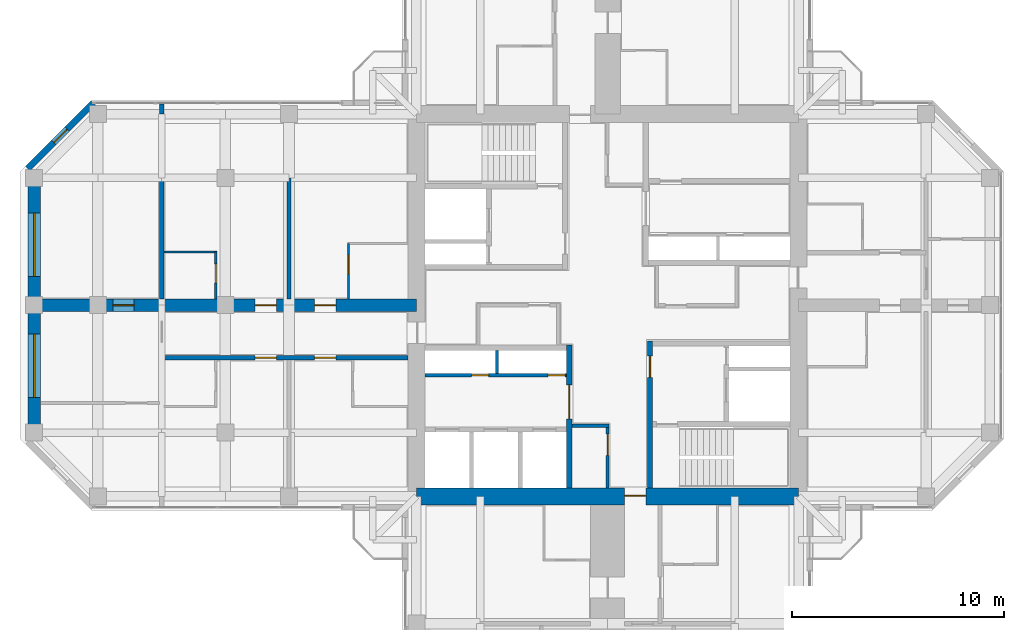
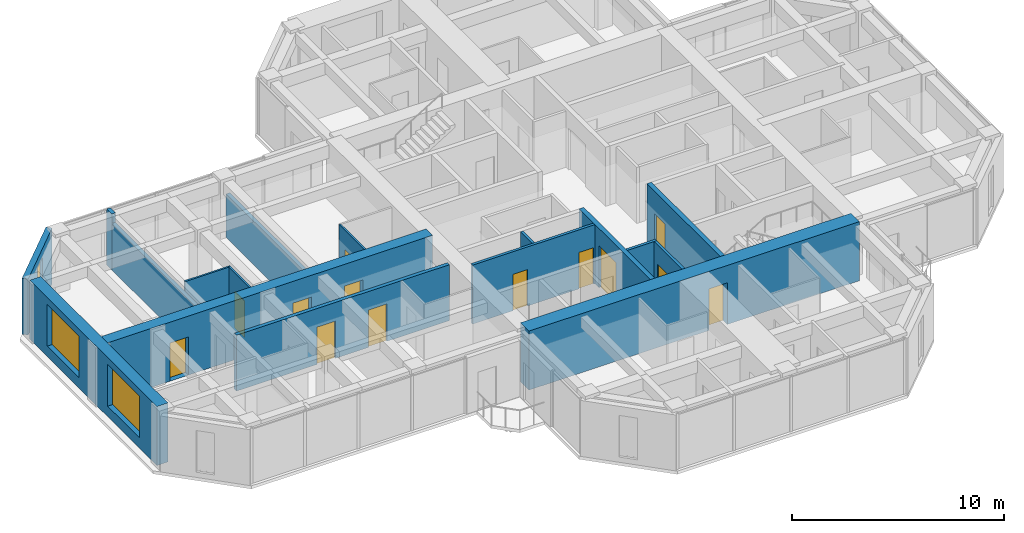
# One storey, part 9 of 14: 17 walls, 13 doors, 3 windows, 16 openings.
"""IFC4 building model written with IfcOpenShell, lengths in metres."""

from ifc_helpers import new_model, si_unit, direction, frame, frame_2d, origin, place, context, subcontext, project, spatial, rectangle, hollow_rectangle, extrude, material, layer, layer_set, constituent, constituent_set, type_object, element, fill, save


model = new_model("IFC4")

# Units and contexts
model_context = context("Model", 3, precision=1e-05, world=origin(), true_north=direction((0.0, 1.0)))
body_context = subcontext(model_context, "Body", "Model", "MODEL_VIEW")
ifc_project = project(units=[si_unit("LENGTHUNIT", "METRE"), si_unit("AREAUNIT", "SQUARE_METRE"), si_unit("VOLUMEUNIT", "CUBIC_METRE"), si_unit("PLANEANGLEUNIT", "RADIAN"), si_unit("MASSUNIT", "GRAM", prefix="KILO")], contexts=[model_context])

# Site, building, storey
site_placement = place(None, origin())
site = spatial("IfcSite", under=ifc_project, at=site_placement, CompositionType="ELEMENT")
building_placement = place(site_placement, origin())
building = spatial("IfcBuilding", under=site, at=building_placement, Name="Torre Cruceta", CompositionType="ELEMENT")
storey_placement = place(building_placement, frame((0.0, 0.0, 228.89990234375)))
storey = spatial("IfcBuildingStorey", under=building, at=storey_placement, Name="L58", CompositionType="ELEMENT", Elevation=228.89990234375)

# Wall, opening, door
ifc_material_1 = material(Name="Water-resistant plasterboard on steel studs", Category="steel")
ifc_layer_1 = layer(ifc_material_1, 0.10009765625)
ifc_layer_set_1 = layer_set([ifc_layer_1], Name="Water-resistant plasterboard on steel studs")
wall_type_1 = type_object("IfcWallType", Name="BATHROOM WALL 100", PredefinedType="PARTITIONING", material=ifc_layer_set_1)
wall_1_placement = place(storey_placement, frame((-12.199951171875, 2.89990234375, 0.0), z_axis=(0.0, 0.0, 1.0), x_axis=(0.0, -1.0, 0.0)))
wall_1 = element("IfcWall", 1, at=wall_1_placement, inside=storey, type_object=wall_type_1, Name="PT4 L58-W-U1RBS", PredefinedType="PARTITIONING", context=body_context, shape_type="SweptSolid", body=[
    extrude(rectangle(XDim=2.599853515625, YDim=0.10009765625, at=frame_2d((1.2998046875, 0.0))), origin(), (0.0, 0.0, 1.0), 3.22021484375),
])
opening_1_placement = place(wall_1_placement, frame((0.550048828125, 0.0, 0.0)))
opening_1 = element("IfcOpeningElement", 2, at=opening_1_placement, cuts=wall_1, Name="Opening D7", PredefinedType="OPENING", context=body_context, shape_type="SweptSolid", body=[
    extrude(rectangle(XDim=0.89990234375, YDim=2.10009765625, at=frame_2d((0.449951171875, 1.050048828125))), frame((0.0, 0.06005859375, 0.0), z_axis=(0.0, -1.0, 0.0), x_axis=(1.0, 0.0, 0.0)), (0.0, 0.0, 1.0), 0.1201171875),
])
ifc_material_2 = material(Name="Timber door", Category="wood")
door_type_1 = type_object("IfcDoorType", Name="BATHROOM DOOR 900X2100", OperationType="SINGLE_SWING_LEFT", PredefinedType="DOOR", material=ifc_material_2)
door_1_placement = place(opening_1_placement, origin())
door_1 = element("IfcDoor", 3, at=door_1_placement, inside=storey, type_object=door_type_1, Name="D7 L58-W-U1RBS-D1", OperationType="SINGLE_SWING_LEFT", OverallHeight=2.10009765625, OverallWidth=0.89990234375, PredefinedType="DOOR", context=body_context, shape_type="SweptSolid", body=[
    extrude(rectangle(XDim=0.89990234375, YDim=2.10009765625, at=frame_2d((0.449951171875, 1.050048828125))), frame((0.0, 0.02490234375, 0.0), z_axis=(0.0, -1.0, 0.0), x_axis=(1.0, 0.0, 0.0)), (0.0, 0.0, 1.0), 0.050048828125),
])
fill(opening_1, door_1)

# Wall
wall_2_placement = place(storey_placement, frame((-18.39990234375, 2.5, 0.0), z_axis=(0.0, 0.0, 1.0), x_axis=(-1.0, 0.0, 0.0)))
element("IfcWall", 4, at=wall_2_placement, inside=storey, type_object=wall_type_1, Name="PT4 L58-W-U2RBB", PredefinedType="PARTITIONING", context=body_context, shape_type="SweptSolid", body=[
    extrude(rectangle(XDim=2.5, YDim=0.10009765625, at=frame_2d((1.25, 0.0))), origin(), (0.0, 0.0, 1.0), 3.22021484375),
])

# Wall, opening, door
wall_3_placement = place(storey_placement, frame((-18.449951171875, 2.5, 0.0), z_axis=(0.0, 0.0, 1.0), x_axis=(0.0, -1.0, 0.0)))
wall_3 = element("IfcWall", 5, at=wall_3_placement, inside=storey, type_object=wall_type_1, Name="PT4 L58-W-U2RBS", PredefinedType="PARTITIONING", context=body_context, shape_type="SweptSolid", body=[
    extrude(rectangle(XDim=2.199951171875, YDim=0.10009765625, at=frame_2d((1.10009765625, 0.0))), origin(), (0.0, 0.0, 1.0), 3.22021484375),
])
opening_2_placement = place(wall_3_placement, frame((0.550048828125, 0.0, 0.0)))
opening_2 = element("IfcOpeningElement", 6, at=opening_2_placement, cuts=wall_3, Name="Opening D7", PredefinedType="OPENING", context=body_context, shape_type="SweptSolid", body=[
    extrude(rectangle(XDim=0.89990234375, YDim=2.10009765625, at=frame_2d((0.449951171875, 1.050048828125))), frame((0.0, 0.06005859375, 0.0), z_axis=(0.0, -1.0, 0.0), x_axis=(1.0, 0.0, 0.0)), (0.0, 0.0, 1.0), 0.1201171875),
])
door_2_placement = place(opening_2_placement, frame((0.89990234375, 0.0, 0.0), z_axis=(0.0, 0.0, 1.0), x_axis=(-1.0, 0.0, 0.0)))
door_2 = element("IfcDoor", 7, at=door_2_placement, inside=storey, type_object=door_type_1, Name="D7 L58-W-U2RBS-D1", OperationType="SINGLE_SWING_RIGHT", OverallHeight=2.10009765625, OverallWidth=0.89990234375, PredefinedType="DOOR", context=body_context, shape_type="SweptSolid", body=[
    extrude(rectangle(XDim=0.89990234375, YDim=2.10009765625, at=frame_2d((0.449951171875, 1.050048828125))), frame((0.0, 0.025146484375, 0.0), z_axis=(0.0, -1.0, 0.0), x_axis=(1.0, 0.0, 0.0)), (0.0, 0.0, 1.0), 0.050048828125),
])
fill(opening_2, door_2)

ifc_material_3 = material(Name="Concrete G60 (fck 60 MPa)", Category="concrete")
ifc_layer_2 = layer(ifc_material_3, 0.25)
ifc_layer_set_2 = layer_set([ifc_layer_2], Name="Concrete G60 (fck 60 MPa)")
wall_type_2 = type_object("IfcWallType", Name="CORE INNER WALL 250 G60", PredefinedType="SHEAR", material=ifc_layer_set_2)
wall_4_placement = place(storey_placement, frame((-1.800048828125, -1.875, 0.0), z_axis=(0.0, 0.0, 1.0), x_axis=(0.0, -1.0, 0.0)))
wall_4 = element("IfcWall", 8, at=wall_4_placement, inside=storey, type_object=wall_type_2, Name="CW4 L58 SW-CU", PredefinedType="SHEAR", context=body_context, shape_type="SweptSolid", body=[
    extrude(rectangle(XDim=6.72509765625, YDim=0.25, at=frame_2d((3.362548828125, 0.0))), origin(), (0.0, 0.0, 1.0), 3.400146484375),
])
opening_3_placement = place(wall_4_placement, frame((1.875, 0.0, 0.0)))
opening_3 = element("IfcOpeningElement", 9, at=opening_3_placement, cuts=wall_4, Name="Opening D8", PredefinedType="OPENING", context=body_context, shape_type="SweptSolid", body=[
    extrude(rectangle(XDim=1.60009765625, YDim=2.39990234375, at=frame_2d((0.800048828125, 1.199951171875))), frame((0.0, 0.135009765625, 0.0), z_axis=(0.0, -1.0, 0.0), x_axis=(1.0, 0.0, 0.0)), (0.0, 0.0, 1.0), 0.27001953125),
])
ifc_material_4 = material(Name="Steel DX51D", Category="steel")
ifc_constituent_1 = constituent(ifc_material_4, Name="Leaf and frame")
ifc_material_5 = material(Name="Polyester powder coating", Category="paint")
ifc_constituent_2 = constituent(ifc_material_5, Name="Finish")
ifc_material_6 = material(Name="Fire-resisting glass", Category="glass")
ifc_constituent_3 = constituent(ifc_material_6, Name="Vision panel")
ifc_constituent_set_1 = constituent_set(constituents=[ifc_constituent_1, ifc_constituent_2, ifc_constituent_3], Name="Steel fire door with vision panels")
door_type_2 = type_object("IfcDoorType", Name="LIFT LOBBY DOUBLE DOOR 1600X2400", OperationType="DOUBLE_DOOR_DOUBLE_SWING", PredefinedType="DOOR", material=ifc_constituent_set_1)
door_3_placement = place(opening_3_placement, origin())
door_3 = element("IfcDoor", 10, at=door_3_placement, inside=storey, type_object=door_type_2, Name="D8 L58 SW-LOBBY", OperationType="DOUBLE_DOOR_DOUBLE_SWING", OverallHeight=2.39990234375, OverallWidth=1.60009765625, PredefinedType="DOOR", context=body_context, shape_type="SweptSolid", body=[
    extrude(rectangle(XDim=1.60009765625, YDim=2.39990234375, at=frame_2d((0.800048828125, 1.199951171875))), frame((0.0, 0.02490234375, 0.0), z_axis=(0.0, -1.0, 0.0), x_axis=(1.0, 0.0, 0.0)), (0.0, 0.0, 1.0), 0.050048828125),
])
fill(opening_3, door_3)

wall_5_placement = place(storey_placement, frame((2.0, -1.675048828125, 0.0), z_axis=(0.0, 0.0, 1.0), x_axis=(0.0, -1.0, 0.0)))
wall_5 = element("IfcWall", 11, at=wall_5_placement, inside=storey, type_object=wall_type_2, Name="CW4 L58 SE-CU", PredefinedType="SHEAR", context=body_context, shape_type="SweptSolid", body=[
    extrude(rectangle(XDim=6.925048828125, YDim=0.25, at=frame_2d((3.46240234375, 0.0))), origin(), (0.0, 0.0, 1.0), 3.400146484375),
])
opening_4_placement = place(wall_5_placement, frame((0.72509765625, 0.0, 0.0)))
opening_4 = element("IfcOpeningElement", 12, at=opening_4_placement, cuts=wall_5, Name="Opening D3", PredefinedType="OPENING", context=body_context, shape_type="SweptSolid", body=[
    extrude(rectangle(XDim=1.0, YDim=2.10009765625, at=frame_2d((0.5, 1.050048828125))), frame((0.0, 0.135009765625, 0.0), z_axis=(0.0, -1.0, 0.0), x_axis=(1.0, 0.0, 0.0)), (0.0, 0.0, 1.0), 0.27001953125),
])
ifc_material_7 = material(Name="Steel DX51D", Category="steel")
ifc_constituent_4 = constituent(ifc_material_7, Name="Leaf and frame")
ifc_material_8 = material(Name="Polyester powder coating", Category="paint")
ifc_constituent_5 = constituent(ifc_material_8, Name="Finish")
ifc_constituent_set_2 = constituent_set(constituents=[ifc_constituent_4, ifc_constituent_5], Name="Steel fire door")
door_type_3 = type_object("IfcDoorType", Name="FIRE DOOR 1000X2100", OperationType="SINGLE_SWING_LEFT", PredefinedType="DOOR", material=ifc_constituent_set_2)
door_4_placement = place(opening_4_placement, origin())
door_4 = element("IfcDoor", 13, at=door_4_placement, inside=storey, type_object=door_type_3, Name="D3 L58 SE-LOBBY", OperationType="SINGLE_SWING_LEFT", OverallHeight=2.10009765625, OverallWidth=1.0, PredefinedType="DOOR", context=body_context, shape_type="SweptSolid", body=[
    extrude(rectangle(XDim=1.0, YDim=2.10009765625, at=frame_2d((0.5, 1.050048828125))), frame((0.0, 0.02490234375, 0.0), z_axis=(0.0, -1.0, 0.0), x_axis=(1.0, 0.0, 0.0)), (0.0, 0.0, 1.0), 0.050048828125),
])
fill(opening_4, door_4)

ifc_material_9 = material(Name="Concrete G60 (fck 60 MPa)", Category="concrete")
ifc_layer_3 = layer(ifc_material_9, 0.800048828125)
ifc_layer_set_3 = layer_set([ifc_layer_3], Name="Concrete G60 (fck 60 MPa)")
wall_type_3 = type_object("IfcWallType", Name="CORE WALL 800 G60", PredefinedType="SHEAR", material=ifc_layer_set_3)
wall_6_placement = place(storey_placement, frame((-9.0, -9.0, 0.0), z_axis=(0.0, 0.0, 1.0), x_axis=(1.0, 0.0, 0.0)))
wall_6 = element("IfcWall", 14, at=wall_6_placement, inside=storey, type_object=wall_type_3, Name="CW3 L58 CW-S", PredefinedType="SHEAR", context=body_context, shape_type="SweptSolid", body=[
    extrude(rectangle(XDim=18.0, YDim=0.800048828125, at=frame_2d((9.0, 0.0))), origin(), (0.0, 0.0, 1.0), 3.400146484375),
])
opening_5_placement = place(wall_6_placement, frame((9.800048828125, 0.0, 0.0)))
opening_5 = element("IfcOpeningElement", 15, at=opening_5_placement, cuts=wall_6, Name="Opening D4", PredefinedType="OPENING", context=body_context, shape_type="SweptSolid", body=[
    extrude(rectangle(XDim=1.0, YDim=2.39990234375, at=frame_2d((0.5, 1.199951171875))), frame((0.0, 0.409912109375, 0.0), z_axis=(0.0, -1.0, 0.0), x_axis=(1.0, 0.0, 0.0)), (0.0, 0.0, 1.0), 0.820068359375),
])
ifc_material_10 = material(Name="Steel DX51D", Category="steel")
ifc_constituent_6 = constituent(ifc_material_10, Name="Leaf and frame")
ifc_material_11 = material(Name="Polyester powder coating", Category="paint")
ifc_constituent_7 = constituent(ifc_material_11, Name="Finish")
ifc_constituent_set_3 = constituent_set(constituents=[ifc_constituent_6, ifc_constituent_7], Name="Steel fire door")
door_type_4 = type_object("IfcDoorType", Name="CORE ARM DOOR 1000X2400", OperationType="SINGLE_SWING_RIGHT", PredefinedType="DOOR", material=ifc_constituent_set_3)
door_5_placement = place(opening_5_placement, origin())
door_5 = element("IfcDoor", 16, at=door_5_placement, inside=storey, type_object=door_type_4, Name="D4 L58 CW-S", OperationType="SINGLE_SWING_RIGHT", OverallHeight=2.39990234375, OverallWidth=1.0, PredefinedType="DOOR", context=body_context, shape_type="SweptSolid", body=[
    extrude(rectangle(XDim=1.0, YDim=2.39990234375, at=frame_2d((0.5, 1.199951171875))), frame((0.0, 0.05517578125, 0.0), z_axis=(0.0, -1.0, 0.0), x_axis=(1.0, 0.0, 0.0)), (0.0, 0.0, 1.0), 0.050048828125),
])
fill(opening_5, door_5)

# Wall, openings, doors
ifc_material_12 = material(Name="Concrete G25 (fck 25 MPa)", Category="concrete")
ifc_layer_4 = layer(ifc_material_12, 0.199951171875)
ifc_layer_set_4 = layer_set([ifc_layer_4], Name="Concrete G25 (fck 25 MPa)")
wall_type_4 = type_object("IfcWallType", Name="CORRIDOR WALL 200", PredefinedType="SOLIDWALL", material=ifc_layer_set_4)
wall_7_placement = place(storey_placement, frame((-9.39990234375, -2.47509765625, 0.0), z_axis=(0.0, 0.0, 1.0), x_axis=(-1.0, 0.0, 0.0)))
wall_7 = element("IfcWall", 17, at=wall_7_placement, inside=storey, type_object=wall_type_4, Name="PT3 L58-W-CL", PredefinedType="SOLIDWALL", context=body_context, shape_type="SweptSolid", body=[
    extrude(rectangle(XDim=11.60009765625, YDim=0.199951171875, at=frame_2d((5.800048828125, 0.0))), origin(), (0.0, 0.0, 1.0), 3.22021484375),
])
opening_6_placement = place(wall_7_placement, frame((3.39990234375, 0.0, 0.0)))
opening_6 = element("IfcOpeningElement", 18, at=opening_6_placement, cuts=wall_7, Name="Opening D6", PredefinedType="OPENING", context=body_context, shape_type="SweptSolid", body=[
    extrude(rectangle(XDim=1.0, YDim=2.14990234375, at=frame_2d((0.5, 1.074951171875))), frame((0.0, 0.10986328125, 0.0), z_axis=(0.0, -1.0, 0.0), x_axis=(1.0, 0.0, 0.0)), (0.0, 0.0, 1.0), 0.219970703125),
])
opening_7_placement = place(wall_7_placement, frame((6.199951171875, 0.0, 0.0)))
opening_7 = element("IfcOpeningElement", 19, at=opening_7_placement, cuts=wall_7, Name="Opening D6", PredefinedType="OPENING", context=body_context, shape_type="SweptSolid", body=[
    extrude(rectangle(XDim=1.0, YDim=2.14990234375, at=frame_2d((0.5, 1.074951171875))), frame((0.0, 0.10986328125, 0.0), z_axis=(0.0, -1.0, 0.0), x_axis=(1.0, 0.0, 0.0)), (0.0, 0.0, 1.0), 0.219970703125),
])
ifc_material_13 = material(Name="Timber fire door", Category="wood")
door_type_5 = type_object("IfcDoorType", Name="UNIT ENTRANCE DOOR 1000X2150", OperationType="SINGLE_SWING_LEFT", PredefinedType="DOOR", material=ifc_material_13)
door_6_placement = place(opening_6_placement, origin())
door_6 = element("IfcDoor", 20, at=door_6_placement, inside=storey, type_object=door_type_5, Name="D6 L58-W-CL-D1", OperationType="SINGLE_SWING_LEFT", OverallHeight=2.14990234375, OverallWidth=1.0, PredefinedType="DOOR", context=body_context, shape_type="SweptSolid", body=[
    extrude(rectangle(XDim=1.0, YDim=2.14990234375, at=frame_2d((0.5, 1.074951171875))), frame((0.0, 0.02490234375, 0.0), z_axis=(0.0, -1.0, 0.0), x_axis=(1.0, 0.0, 0.0)), (0.0, 0.0, 1.0), 0.050048828125),
])
fill(opening_6, door_6)
door_7_placement = place(opening_7_placement, origin())
door_7 = element("IfcDoor", 21, at=door_7_placement, inside=storey, type_object=door_type_5, Name="D6 L58-W-CL-D2", OperationType="SINGLE_SWING_LEFT", OverallHeight=2.14990234375, OverallWidth=1.0, PredefinedType="DOOR", context=body_context, shape_type="SweptSolid", body=[
    extrude(rectangle(XDim=1.0, YDim=2.14990234375, at=frame_2d((0.5, 1.074951171875))), frame((0.0, 0.02490234375, 0.0), z_axis=(0.0, -1.0, 0.0), x_axis=(1.0, 0.0, 0.0)), (0.0, 0.0, 1.0), 0.050048828125),
])
fill(opening_7, door_7)

# Wall, opening, window
ifc_material_14 = material(Name="Concrete G30 (fck 30 MPa)", Category="concrete")
ifc_layer_5 = layer(ifc_material_14, 0.300048828125)
ifc_layer_set_5 = layer_set([ifc_layer_5], Name="Concrete G30 (fck 30 MPa)")
wall_type_5 = type_object("IfcWallType", Name="EXPOSED CONCRETE FACADE WALL 300", PredefinedType="SOLIDWALL", material=ifc_layer_set_5)
wall_8_placement = place(storey_placement, frame((-24.21533203125, 9.52001953125, 0.0), z_axis=(0.0, 0.0, 1.0), x_axis=(-0.707106781187, -0.707106781187, 0.0)))
wall_8 = element("IfcWall", 22, at=wall_8_placement, inside=storey, type_object=wall_type_5, Name="EW1 facade wall L58 W chamfer 11", PredefinedType="SOLIDWALL", context=body_context, shape_type="SweptSolid", body=[
    extrude(rectangle(XDim=4.362548828125, YDim=0.300048828125, at=frame_2d((2.18115234375, 0.0))), origin(), (0.0, 0.0, 1.0), 3.22021484375),
])
opening_8_placement = place(wall_8_placement, frame((1.731201171875, 0.0, 0.300048828125)))
opening_8 = element("IfcOpeningElement", 23, at=opening_8_placement, cuts=wall_8, Name="Opening WN5", PredefinedType="OPENING", context=body_context, shape_type="SweptSolid", body=[
    extrude(rectangle(XDim=0.89990234375, YDim=2.39990234375, at=frame_2d((0.449951171875, 1.199951171875))), frame((0.0, 0.159912109375, 0.0), z_axis=(0.0, -1.0, 0.0), x_axis=(1.0, 0.0, 0.0)), (0.0, 0.0, 1.0), 0.320068359375),
])
ifc_material_15 = material(Name="Aluminium window frame", Category="aluminium")
ifc_constituent_8 = constituent(ifc_material_15, Name="Frame")
ifc_material_16 = material(Name="Laminated insulating glass unit, low-iron clear", Category="glass")
ifc_constituent_9 = constituent(ifc_material_16, Name="Glazing")
ifc_constituent_set_4 = constituent_set(constituents=[ifc_constituent_8, ifc_constituent_9], Name="Aluminium window")
window_type_1 = type_object("IfcWindowType", Name="CHAMFER SLOT WINDOW 900X2400", PartitioningType="SINGLE_PANEL", PredefinedType="WINDOW", material=ifc_constituent_set_4)
window_1_placement = place(opening_8_placement, origin())
window_1 = element("IfcWindow", 24, at=window_1_placement, inside=storey, type_object=window_type_1, Name="WN5 L58 W 1", OverallHeight=2.39990234375, OverallWidth=0.89990234375, PartitioningType="SINGLE_PANEL", PredefinedType="WINDOW", context=body_context, shape_type="SweptSolid", body=[
    extrude(hollow_rectangle(XDim=0.89990234375, YDim=2.39990234375, WallThickness=0.06005859375, at=frame_2d((0.449951171875, 1.199951171875))), frame((0.0, 0.030029296875, 0.0), z_axis=(0.0, -1.0, 0.0), x_axis=(1.0, 0.0, 0.0)), (0.0, 0.0, 1.0), 0.06005859375),
    extrude(rectangle(XDim=0.77880859375, YDim=2.27880859375, at=frame_2d((0.449951171875, 1.199951171875))), frame((0.0, 0.030029296875, 0.0), z_axis=(0.0, -1.0, 0.0), x_axis=(1.0, 0.0, 0.0)), (0.0, 0.0, 1.0), 0.06005859375),
])
fill(opening_8, window_1)

# Wall, openings, windows
ifc_material_17 = material(Name="Concrete G60 (fck 60 MPa)", Category="concrete")
ifc_layer_6 = layer(ifc_material_17, 0.60009765625)
ifc_layer_set_6 = layer_set([ifc_layer_6], Name="Concrete G60 (fck 60 MPa)")
wall_type_6 = type_object("IfcWallType", Name="NOSE WALL 600 G60", PredefinedType="SHEAR", material=ifc_layer_set_6)
wall_9_placement = place(storey_placement, frame((-27.0, 6.0, 0.0), z_axis=(0.0, 0.0, 1.0), x_axis=(0.0, -1.0, 0.0)))
wall_9 = element("IfcWall", 25, at=wall_9_placement, inside=storey, type_object=wall_type_6, Name="NW3 nose wall L58 W", PredefinedType="SHEAR", context=body_context, shape_type="SweptSolid", body=[
    extrude(rectangle(XDim=12.0, YDim=0.60009765625, at=frame_2d((6.0, 0.0))), origin(), (0.0, 0.0, 1.0), 3.400146484375),
])
opening_9_placement = place(wall_9_placement, frame((1.64990234375, 0.0, 0.60009765625)))
opening_9 = element("IfcOpeningElement", 26, at=opening_9_placement, cuts=wall_9, Name="Opening WN6", PredefinedType="OPENING", context=body_context, shape_type="SweptSolid", body=[
    extrude(rectangle(XDim=3.0, YDim=2.39990234375, at=frame_2d((1.5, 1.199951171875))), frame((0.0, 0.31005859375, 0.0), z_axis=(0.0, -1.0, 0.0), x_axis=(1.0, 0.0, 0.0)), (0.0, 0.0, 1.0), 0.6201171875),
])
opening_10_placement = place(wall_9_placement, frame((7.35009765625, 0.0, 0.60009765625)))
opening_10 = element("IfcOpeningElement", 27, at=opening_10_placement, cuts=wall_9, Name="Opening WN6", PredefinedType="OPENING", context=body_context, shape_type="SweptSolid", body=[
    extrude(rectangle(XDim=3.0, YDim=2.39990234375, at=frame_2d((1.5, 1.199951171875))), frame((0.0, 0.31005859375, 0.0), z_axis=(0.0, -1.0, 0.0), x_axis=(1.0, 0.0, 0.0)), (0.0, 0.0, 1.0), 0.6201171875),
])
ifc_material_18 = material(Name="Aluminium window frame", Category="aluminium")
ifc_constituent_10 = constituent(ifc_material_18, Name="Frame")
ifc_material_19 = material(Name="Laminated insulating glass unit, low-iron clear", Category="glass")
ifc_constituent_11 = constituent(ifc_material_19, Name="Glazing")
ifc_constituent_set_5 = constituent_set(constituents=[ifc_constituent_10, ifc_constituent_11], Name="Aluminium window")
window_type_2 = type_object("IfcWindowType", Name="NOSE WALL WINDOW 3000X2400", PartitioningType="SINGLE_PANEL", PredefinedType="WINDOW", material=ifc_constituent_set_5)
window_2_placement = place(opening_9_placement, origin())
window_2 = element("IfcWindow", 28, at=window_2_placement, inside=storey, type_object=window_type_2, Name="WN6 L58 W 1", OverallHeight=2.39990234375, OverallWidth=3.0, PartitioningType="SINGLE_PANEL", PredefinedType="WINDOW", context=body_context, shape_type="SweptSolid", body=[
    extrude(hollow_rectangle(XDim=3.0, YDim=2.39990234375, WallThickness=0.06005859375, at=frame_2d((1.5, 1.199951171875))), frame((0.0, 0.030029296875, 0.0), z_axis=(0.0, -1.0, 0.0), x_axis=(1.0, 0.0, 0.0)), (0.0, 0.0, 1.0), 0.06005859375),
    extrude(rectangle(XDim=2.87890625, YDim=2.27880859375, at=frame_2d((1.5, 1.199951171875))), frame((0.0, 0.030029296875, 0.0), z_axis=(0.0, -1.0, 0.0), x_axis=(1.0, 0.0, 0.0)), (0.0, 0.0, 1.0), 0.06005859375),
])
fill(opening_9, window_2)
window_3_placement = place(opening_10_placement, origin())
window_3 = element("IfcWindow", 29, at=window_3_placement, inside=storey, type_object=window_type_2, Name="WN6 L58 W 2", OverallHeight=2.39990234375, OverallWidth=3.0, PartitioningType="SINGLE_PANEL", PredefinedType="WINDOW", context=body_context, shape_type="SweptSolid", body=[
    extrude(hollow_rectangle(XDim=3.0, YDim=2.39990234375, WallThickness=0.06005859375, at=frame_2d((1.5, 1.199951171875))), frame((0.0, 0.030029296875, 0.0), z_axis=(0.0, -1.0, 0.0), x_axis=(1.0, 0.0, 0.0)), (0.0, 0.0, 1.0), 0.06005859375),
    extrude(rectangle(XDim=2.87890625, YDim=2.27880859375, at=frame_2d((1.5, 1.199951171875))), frame((0.0, 0.030029296875, 0.0), z_axis=(0.0, -1.0, 0.0), x_axis=(1.0, 0.0, 0.0)), (0.0, 0.0, 1.0), 0.06005859375),
])
fill(opening_10, window_3)

# Wall, opening, door
ifc_material_20 = material(Name="Plasterboard on steel studs", Category="steel")
ifc_layer_7 = layer(ifc_material_20, 0.14990234375)
ifc_layer_set_7 = layer_set([ifc_layer_7], Name="Plasterboard on steel studs")
wall_type_7 = type_object("IfcWallType", Name="PARTITION 150", PredefinedType="PARTITIONING", material=ifc_layer_set_7)
wall_10_placement = place(storey_placement, frame((0.0, -5.675048828125, 0.0), z_axis=(0.0, 0.0, 1.0), x_axis=(0.0, -1.0, 0.0)))
wall_10 = element("IfcWall", 30, at=wall_10_placement, inside=storey, type_object=wall_type_7, Name="PT1 L58-CORE-LEGS-W-W1", PredefinedType="PARTITIONING", context=body_context, shape_type="SweptSolid", body=[
    extrude(rectangle(XDim=2.925048828125, YDim=0.14990234375, at=frame_2d((1.46240234375, 0.0))), origin(), (0.0, 0.0, 1.0), 3.22021484375),
])
opening_11_placement = place(wall_10_placement, frame((0.39990234375, 0.0, 0.0)))
opening_11 = element("IfcOpeningElement", 31, at=opening_11_placement, cuts=wall_10, Name="Opening D3", PredefinedType="OPENING", context=body_context, shape_type="SweptSolid", body=[
    extrude(rectangle(XDim=1.0, YDim=2.10009765625, at=frame_2d((0.5, 1.050048828125))), frame((0.0, 0.0849609375, 0.0), z_axis=(0.0, -1.0, 0.0), x_axis=(1.0, 0.0, 0.0)), (0.0, 0.0, 1.0), 0.169921875),
])
door_8_placement = place(opening_11_placement, frame((1.0, 0.0, 0.0), z_axis=(0.0, 0.0, 1.0), x_axis=(-1.0, 0.0, 0.0)))
door_8 = element("IfcDoor", 32, at=door_8_placement, inside=storey, type_object=door_type_3, Name="D3 L58-CORE-LEGS-W-W1-D1", OperationType="SINGLE_SWING_RIGHT", OverallHeight=2.10009765625, OverallWidth=1.0, PredefinedType="DOOR", context=body_context, shape_type="SweptSolid", body=[
    extrude(rectangle(XDim=1.0, YDim=2.10009765625, at=frame_2d((0.5, 1.050048828125))), frame((0.0, 0.025146484375, 0.0), z_axis=(0.0, -1.0, 0.0), x_axis=(1.0, 0.0, 0.0)), (0.0, 0.0, 1.0), 0.050048828125),
])
fill(opening_11, door_8)

# Wall
wall_11_placement = place(storey_placement, frame((-1.675048828125, -5.675048828125, 0.0), z_axis=(0.0, 0.0, 1.0), x_axis=(1.0, 0.0, 0.0)))
element("IfcWall", 33, at=wall_11_placement, inside=storey, type_object=wall_type_7, Name="PT1 L58-CORE-LEGS-W-W2", PredefinedType="PARTITIONING", context=body_context, shape_type="SweptSolid", body=[
    extrude(rectangle(XDim=1.75, YDim=0.14990234375, at=frame_2d((0.875, 0.0))), origin(), (0.0, 0.0, 1.0), 3.22021484375),
])

# Wall, openings, doors
ifc_material_21 = material(Name="Concrete block masonry", Category="masonry")
ifc_layer_8 = layer(ifc_material_21, 0.14990234375)
ifc_layer_set_8 = layer_set([ifc_layer_8], Name="Concrete block masonry")
wall_type_8 = type_object("IfcWallType", Name="RISER WALL 150", PredefinedType="PARTITIONING", material=ifc_layer_set_8)
wall_12_placement = place(storey_placement, frame((-1.925048828125, -3.300048828125, 0.0), z_axis=(0.0, 0.0, 1.0), x_axis=(-1.0, 0.0, 0.0)))
wall_12 = element("IfcWall", 34, at=wall_12_placement, inside=storey, type_object=wall_type_8, Name="SW7 L58 SW-RV", PredefinedType="PARTITIONING", context=body_context, shape_type="SweptSolid", body=[
    extrude(rectangle(XDim=6.675048828125, YDim=0.14990234375, at=frame_2d((3.33740234375, 0.0))), origin(), (0.0, 0.0, 1.0), 3.400146484375),
])
opening_12_placement = place(wall_12_placement, frame((0.074951171875, 0.0, 0.0)))
opening_12 = element("IfcOpeningElement", 35, at=opening_12_placement, cuts=wall_12, Name="Opening D5", PredefinedType="OPENING", context=body_context, shape_type="SweptSolid", body=[
    extrude(rectangle(XDim=0.800048828125, YDim=2.10009765625, at=frame_2d((0.39990234375, 1.050048828125))), frame((0.0, 0.0849609375, 0.0), z_axis=(0.0, -1.0, 0.0), x_axis=(1.0, 0.0, 0.0)), (0.0, 0.0, 1.0), 0.169921875),
])
opening_13_placement = place(wall_12_placement, frame((3.675048828125, 0.0, 0.0)))
opening_13 = element("IfcOpeningElement", 36, at=opening_13_placement, cuts=wall_12, Name="Opening D5", PredefinedType="OPENING", context=body_context, shape_type="SweptSolid", body=[
    extrude(rectangle(XDim=0.800048828125, YDim=2.10009765625, at=frame_2d((0.39990234375, 1.050048828125))), frame((0.0, 0.0849609375, 0.0), z_axis=(0.0, -1.0, 0.0), x_axis=(1.0, 0.0, 0.0)), (0.0, 0.0, 1.0), 0.169921875),
])
ifc_material_22 = material(Name="Steel DX51D", Category="steel")
ifc_constituent_12 = constituent(ifc_material_22, Name="Leaf and frame")
ifc_material_23 = material(Name="Polyester powder coating", Category="paint")
ifc_constituent_13 = constituent(ifc_material_23, Name="Finish")
ifc_constituent_set_6 = constituent_set(constituents=[ifc_constituent_12, ifc_constituent_13], Name="Steel fire door")
door_type_6 = type_object("IfcDoorType", Name="RISER ACCESS DOOR 800X2100", OperationType="SINGLE_SWING_LEFT", PredefinedType="DOOR", material=ifc_constituent_set_6)
door_9_placement = place(opening_12_placement, frame((0.800048828125, 0.0, 0.0), z_axis=(0.0, 0.0, 1.0), x_axis=(-1.0, 0.0, 0.0)))
door_9 = element("IfcDoor", 37, at=door_9_placement, inside=storey, type_object=door_type_6, Name="D5 L58 SW-RISER1", OperationType="SINGLE_SWING_RIGHT", OverallHeight=2.10009765625, OverallWidth=0.800048828125, PredefinedType="DOOR", context=body_context, shape_type="SweptSolid", body=[
    extrude(rectangle(XDim=0.800048828125, YDim=2.10009765625, at=frame_2d((0.400146484375, 1.050048828125))), frame((0.0, 0.025146484375, 0.0), z_axis=(0.0, -1.0, 0.0), x_axis=(1.0, 0.0, 0.0)), (0.0, 0.0, 1.0), 0.050048828125),
])
fill(opening_12, door_9)
door_10_placement = place(opening_13_placement, frame((0.800048828125, 0.0, 0.0), z_axis=(0.0, 0.0, 1.0), x_axis=(-1.0, 0.0, 0.0)))
door_10 = element("IfcDoor", 38, at=door_10_placement, inside=storey, type_object=door_type_6, Name="D5 L58 SW-RISER2", OperationType="SINGLE_SWING_RIGHT", OverallHeight=2.10009765625, OverallWidth=0.800048828125, PredefinedType="DOOR", context=body_context, shape_type="SweptSolid", body=[
    extrude(rectangle(XDim=0.800048828125, YDim=2.10009765625, at=frame_2d((0.400146484375, 1.050048828125))), frame((0.0, 0.025146484375, 0.0), z_axis=(0.0, -1.0, 0.0), x_axis=(1.0, 0.0, 0.0)), (0.0, 0.0, 1.0), 0.050048828125),
])
fill(opening_13, door_10)

# Wall
wall_13_placement = place(storey_placement, frame((-5.199951171875, -2.125, 0.0), z_axis=(0.0, 0.0, 1.0), x_axis=(0.0, -1.0, 0.0)))
element("IfcWall", 39, at=wall_13_placement, inside=storey, type_object=wall_type_8, Name="SW7 L58 SW-RU", PredefinedType="PARTITIONING", context=body_context, shape_type="SweptSolid", body=[
    extrude(rectangle(XDim=1.10009765625, YDim=0.14990234375, at=frame_2d((0.550048828125, 0.0))), origin(), (0.0, 0.0, 1.0), 3.400146484375),
])

# Wall, openings, doors
ifc_material_24 = material(Name="Concrete G60 (fck 60 MPa)", Category="concrete")
ifc_layer_9 = layer(ifc_material_24, 0.60009765625)
ifc_layer_set_9 = layer_set([ifc_layer_9], Name="Concrete G60 (fck 60 MPa)")
wall_type_9 = type_object("IfcWallType", Name="SPINE WALL 600 G60", PredefinedType="SHEAR", material=ifc_layer_set_9)
wall_14_placement = place(storey_placement, frame((-9.0, 0.0, 0.0), z_axis=(0.0, 0.0, 1.0), x_axis=(-1.0, 0.0, 0.0)))
wall_14 = element("IfcWall", 40, at=wall_14_placement, inside=storey, type_object=wall_type_9, Name="SW5 spine wall L58 W", PredefinedType="SHEAR", context=body_context, shape_type="SweptSolid", body=[
    extrude(rectangle(XDim=18.0, YDim=0.60009765625, at=frame_2d((9.0, 0.0))), origin(), (0.0, 0.0, 1.0), 3.400146484375),
])
opening_14_placement = place(wall_14_placement, frame((3.800048828125, 0.0, 0.0)))
opening_14 = element("IfcOpeningElement", 41, at=opening_14_placement, cuts=wall_14, Name="Opening D6", PredefinedType="OPENING", context=body_context, shape_type="SweptSolid", body=[
    extrude(rectangle(XDim=1.0, YDim=2.14990234375, at=frame_2d((0.5, 1.074951171875))), frame((0.0, 0.31005859375, 0.0), z_axis=(0.0, -1.0, 0.0), x_axis=(1.0, 0.0, 0.0)), (0.0, 0.0, 1.0), 0.6201171875),
])
opening_15_placement = place(wall_14_placement, frame((6.60009765625, 0.0, 0.0)))
opening_15 = element("IfcOpeningElement", 42, at=opening_15_placement, cuts=wall_14, Name="Opening D6", PredefinedType="OPENING", context=body_context, shape_type="SweptSolid", body=[
    extrude(rectangle(XDim=1.0, YDim=2.14990234375, at=frame_2d((0.5, 1.074951171875))), frame((0.0, 0.31005859375, 0.0), z_axis=(0.0, -1.0, 0.0), x_axis=(1.0, 0.0, 0.0)), (0.0, 0.0, 1.0), 0.6201171875),
])
opening_16_placement = place(wall_14_placement, frame((13.300048828125, 0.0, 0.0)))
opening_16 = element("IfcOpeningElement", 43, at=opening_16_placement, cuts=wall_14, Name="Opening D14", PredefinedType="OPENING", context=body_context, shape_type="SweptSolid", body=[
    extrude(rectangle(XDim=1.0, YDim=2.199951171875, at=frame_2d((0.5, 1.10009765625))), frame((0.0, 0.31005859375, 0.0), z_axis=(0.0, -1.0, 0.0), x_axis=(1.0, 0.0, 0.0)), (0.0, 0.0, 1.0), 0.6201171875),
])
ifc_material_25 = material(Name="Steel DX51D", Category="steel")
ifc_constituent_14 = constituent(ifc_material_25, Name="Leaf and frame")
ifc_material_26 = material(Name="Polyester powder coating", Category="paint")
ifc_constituent_15 = constituent(ifc_material_26, Name="Finish")
ifc_material_27 = material(Name="Fire-resisting glass", Category="glass")
ifc_constituent_16 = constituent(ifc_material_27, Name="Vision panel")
ifc_constituent_set_7 = constituent_set(constituents=[ifc_constituent_14, ifc_constituent_15, ifc_constituent_16], Name="Steel fire door with vision panel")
door_type_7 = type_object("IfcDoorType", Name="FIRE DOOR VISION PANEL 1000X2200", OperationType="SINGLE_SWING_RIGHT", PredefinedType="DOOR", material=ifc_constituent_set_7)
door_11_placement = place(opening_16_placement, origin())
door_11 = element("IfcDoor", 44, at=door_11_placement, inside=storey, type_object=door_type_7, Name="D14 L58-W-SP3", OperationType="SINGLE_SWING_LEFT", OverallHeight=2.199951171875, OverallWidth=1.0, PredefinedType="DOOR", context=body_context, shape_type="SweptSolid", body=[
    extrude(rectangle(XDim=1.0, YDim=2.199951171875, at=frame_2d((0.5, 1.10009765625))), frame((0.0, 0.02490234375, 0.0), z_axis=(0.0, -1.0, 0.0), x_axis=(1.0, 0.0, 0.0)), (0.0, 0.0, 1.0), 0.050048828125),
])
fill(opening_16, door_11)
door_12_placement = place(opening_14_placement, frame((1.0, 0.0, 0.0), z_axis=(0.0, 0.0, 1.0), x_axis=(-1.0, 0.0, 0.0)))
door_12 = element("IfcDoor", 45, at=door_12_placement, inside=storey, type_object=door_type_5, Name="D6 L58-W-SP1", OperationType="SINGLE_SWING_RIGHT", OverallHeight=2.14990234375, OverallWidth=1.0, PredefinedType="DOOR", context=body_context, shape_type="SweptSolid", body=[
    extrude(rectangle(XDim=1.0, YDim=2.14990234375, at=frame_2d((0.5, 1.074951171875))), frame((0.0, 0.025146484375, 0.0), z_axis=(0.0, -1.0, 0.0), x_axis=(1.0, 0.0, 0.0)), (0.0, 0.0, 1.0), 0.050048828125),
])
fill(opening_14, door_12)
door_13_placement = place(opening_15_placement, frame((1.0, 0.0, 0.0), z_axis=(0.0, 0.0, 1.0), x_axis=(-1.0, 0.0, 0.0)))
door_13 = element("IfcDoor", 46, at=door_13_placement, inside=storey, type_object=door_type_5, Name="D6 L58-W-SP2", OperationType="SINGLE_SWING_RIGHT", OverallHeight=2.14990234375, OverallWidth=1.0, PredefinedType="DOOR", context=body_context, shape_type="SweptSolid", body=[
    extrude(rectangle(XDim=1.0, YDim=2.14990234375, at=frame_2d((0.5, 1.074951171875))), frame((0.0, 0.025146484375, 0.0), z_axis=(0.0, -1.0, 0.0), x_axis=(1.0, 0.0, 0.0)), (0.0, 0.0, 1.0), 0.050048828125),
])
fill(opening_15, door_13)

# Walls
ifc_material_28 = material(Name="Concrete G25 (fck 25 MPa)", Category="concrete")
ifc_layer_10 = layer(ifc_material_28, 0.199951171875)
ifc_layer_set_10 = layer_set([ifc_layer_10], Name="Concrete G25 (fck 25 MPa)")
wall_type_10 = type_object("IfcWallType", Name="UNIT SEPARATING WALL 200", PredefinedType="SOLIDWALL", material=ifc_layer_set_10)
wall_15_placement = place(storey_placement, frame((-15.0, 8.60009765625, 0.0), z_axis=(0.0, 0.0, 1.0), x_axis=(0.0, -1.0, 0.0)))
element("IfcWall", 47, at=wall_15_placement, inside=storey, type_object=wall_type_10, Name="PT2 L58-W-P1R", PredefinedType="SOLIDWALL", context=body_context, shape_type="SweptSolid", body=[
    extrude(rectangle(XDim=8.300048828125, YDim=0.199951171875, at=frame_2d((4.14990234375, 0.0))), origin(), (0.0, 0.0, 1.0), 2.52001953125),
])
wall_16_placement = place(storey_placement, frame((-21.0, 9.47998046875, 0.0), z_axis=(0.0, 0.0, 1.0), x_axis=(0.0, -1.0, 0.0)))
element("IfcWall", 48, at=wall_16_placement, inside=storey, type_object=wall_type_10, Name="PT2 L58-W-ENDa", PredefinedType="SOLIDWALL", context=body_context, shape_type="SweptSolid", body=[
    extrude(rectangle(XDim=0.47998046875, YDim=0.199951171875, at=frame_2d((0.239990234375, 0.0))), origin(), (0.0, 0.0, 1.0), 3.22021484375),
])
wall_17_placement = place(storey_placement, frame((-21.0, 9.0, 0.0), z_axis=(0.0, 0.0, 1.0), x_axis=(0.0, -1.0, 0.0)))
element("IfcWall", 49, at=wall_17_placement, inside=storey, type_object=wall_type_10, Name="PT2 L58-W-ENDa 2", PredefinedType="SOLIDWALL", context=body_context, shape_type="SweptSolid", body=[
    extrude(rectangle(XDim=8.699951171875, YDim=0.199951171875, at=frame_2d((4.35009765625, 0.0))), origin(), (0.0, 0.0, 1.0), 2.670166015625),
])

save(model, "model.ifc")
